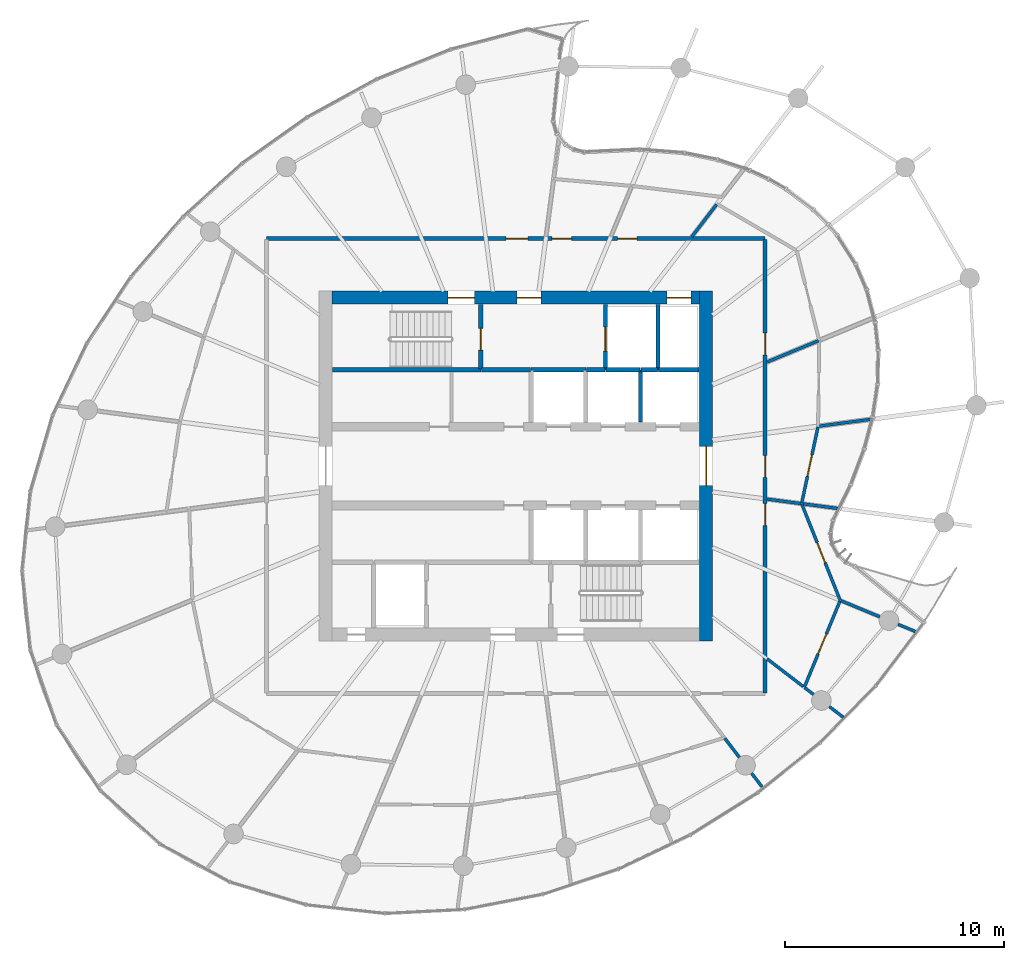
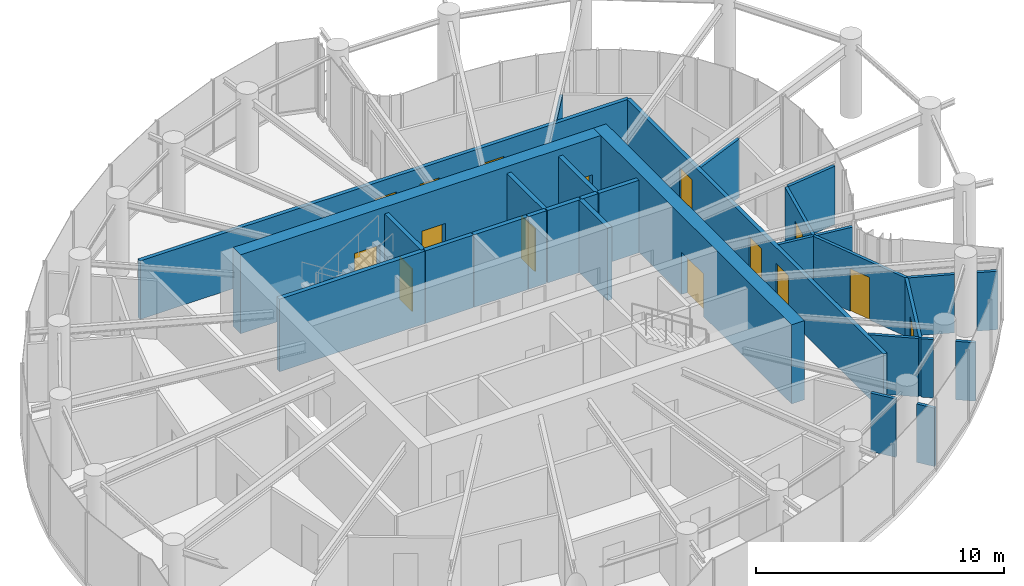
# One storey, part 14 of 17: 30 walls, 15 doors, 15 openings.
"""IFC4 building model written with IfcOpenShell, lengths in metres."""

from ifc_helpers import new_model, si_unit, direction, frame, frame_2d, origin, place, context, subcontext, project, spatial, rectangle, extrude, source, transform, mapped, material, layer, layer_set, type_object, element, fill, save


model = new_model("IFC4")

# Units and contexts
model_context = context("Model", 3, precision=1e-05, world=origin(), true_north=direction((0.0, 1.0)))
body_context = subcontext(model_context, "Body", "Model", "MODEL_VIEW")
ifc_project = project(units=[si_unit("LENGTHUNIT", "METRE"), si_unit("AREAUNIT", "SQUARE_METRE"), si_unit("VOLUMEUNIT", "CUBIC_METRE"), si_unit("PLANEANGLEUNIT", "RADIAN"), si_unit("MASSUNIT", "GRAM", prefix="KILO")], contexts=[model_context])

# Site, building, storey
site_placement = place(None, origin())
site = spatial("IfcSite", under=ifc_project, at=site_placement, CompositionType="ELEMENT")
building_placement = place(site_placement, origin())
building = spatial("IfcBuilding", under=site, at=building_placement, Name="Spindrift Exchange Tower", CompositionType="ELEMENT")
storey_placement = place(building_placement, frame((0.0, 0.0, 187.699951171875)))
storey = spatial("IfcBuildingStorey", under=building, at=storey_placement, Name="L45", CompositionType="ELEMENT", Elevation=187.699951171875)

# Wall, opening, door
ifc_material_1 = material(Name="Concrete 50 MPa", Category="concrete")
ifc_layer_1 = layer(ifc_material_1, 0.60009765625)
ifc_layer_set_1 = layer_set([ifc_layer_1], Name="RC Core Wall 600 Concrete 50 MPa")
wall_type_1 = type_object("IfcWallType", Name="RC Core Wall 600 Concrete 50 MPa", PredefinedType="SHEAR", material=ifc_layer_set_1)
wall_1_placement = place(storey_placement, frame((60.699951171875, 40.0, 0.0), z_axis=(0.0, 0.0, 1.0), x_axis=(0.0, 1.0, 0.0)))
wall_1 = element("IfcWall", 1, at=wall_1_placement, inside=storey, type_object=wall_type_1, Name="Core wall E L45", PredefinedType="SHEAR", context=body_context, shape_type="SweptSolid", body=[
    extrude(rectangle(XDim=16.0, YDim=0.60009765625, at=frame_2d((8.0, 0.0))), origin(), (0.0, 0.0, 1.0), 3.900146484375),
])
opening_1_placement = place(wall_1_placement, frame((7.10009765625, 0.0, 0.0)))
opening_1 = element("IfcOpeningElement", 2, at=opening_1_placement, cuts=wall_1, Name="Opening L45-D2", PredefinedType="OPENING", context=body_context, shape_type="SweptSolid", body=[
    extrude(rectangle(XDim=1.800048828125, YDim=2.10009765625, at=frame_2d((0.89990234375, 1.050048828125))), frame((0.0, 0.31005859375, 0.0), z_axis=(0.0, -1.0, 0.0), x_axis=(1.0, 0.0, 0.0)), (0.0, 0.0, 1.0), 0.6201171875),
])
ifc_material_2 = material(Name="Timber-core fire door", Category="wood")
door_type_1 = type_object("IfcDoorType", Name="DR-LOBBY-1800", OperationType="NOTDEFINED", PredefinedType="DOOR", material=ifc_material_2)
shared_shape_1 = source(origin(), body_context, "Body", "SweptSolid", [
    extrude(rectangle(XDim=1.800048828125, YDim=2.10009765625, at=frame_2d((0.89990234375, 1.050048828125))), frame((0.0, 0.02490234375, 0.0), z_axis=(0.0, -1.0, 0.0), x_axis=(1.0, 0.0, 0.0)), (0.0, 0.0, 1.0), 0.050048828125),
])
door_1_placement = place(opening_1_placement, origin())
door_1 = element("IfcDoor", 3, at=door_1_placement, inside=storey, type_object=door_type_1, Name="L45 Lobby door 2", OperationType="SINGLE_SWING_LEFT", OverallHeight=2.10009765625, OverallWidth=1.800048828125, PredefinedType="DOOR", context=body_context, shape_type="MappedRepresentation", body=[
    mapped(shared_shape_1, transform((0.0, 0.0, 0.0), scale=1.0)),
])
fill(opening_1, door_1)

# Wall, openings, doors
wall_2_placement = place(storey_placement, frame((60.39990234375, 55.699951171875, 0.0), z_axis=(0.0, 0.0, 1.0), x_axis=(-1.0, 0.0, 0.0)))
wall_2 = element("IfcWall", 4, at=wall_2_placement, inside=storey, type_object=wall_type_1, Name="Core wall N L45", PredefinedType="SHEAR", context=body_context, shape_type="SweptSolid", body=[
    extrude(rectangle(XDim=16.7998046875, YDim=0.60009765625, at=frame_2d((8.39990234375, 0.0))), origin(), (0.0, 0.0, 1.0), 3.900146484375),
])
opening_2_placement = place(wall_2_placement, frame((0.39990234375, 0.0, 0.0)))
opening_2 = element("IfcOpeningElement", 5, at=opening_2_placement, cuts=wall_2, Name="Opening L45-D11", PredefinedType="OPENING", context=body_context, shape_type="SweptSolid", body=[
    extrude(rectangle(XDim=1.10009765625, YDim=2.10009765625, at=frame_2d((0.550048828125, 1.050048828125))), frame((0.0, 0.31005859375, 0.0), z_axis=(0.0, -1.0, 0.0), x_axis=(1.0, 0.0, 0.0)), (0.0, 0.0, 1.0), 0.6201171875),
])
opening_3_placement = place(wall_2_placement, frame((10.300048828125, 0.0, 0.0)))
opening_3 = element("IfcOpeningElement", 6, at=opening_3_placement, cuts=wall_2, Name="Opening L45-D12", PredefinedType="OPENING", context=body_context, shape_type="SweptSolid", body=[
    extrude(rectangle(XDim=1.199951171875, YDim=2.10009765625, at=frame_2d((0.60009765625, 1.050048828125))), frame((0.0, 0.31005859375, 0.0), z_axis=(0.0, -1.0, 0.0), x_axis=(1.0, 0.0, 0.0)), (0.0, 0.0, 1.0), 0.6201171875),
])
opening_4_placement = place(wall_2_placement, frame((7.25, 0.0, 0.0)))
opening_4 = element("IfcOpeningElement", 7, at=opening_4_placement, cuts=wall_2, Name="Opening L45-D14", PredefinedType="OPENING", context=body_context, shape_type="SweptSolid", body=[
    extrude(rectangle(XDim=1.10009765625, YDim=2.10009765625, at=frame_2d((0.550048828125, 1.050048828125))), frame((0.0, 0.31005859375, 0.0), z_axis=(0.0, -1.0, 0.0), x_axis=(1.0, 0.0, 0.0)), (0.0, 0.0, 1.0), 0.6201171875),
])
ifc_material_3 = material(Name="Stainless steel landing door", Category="steel")
door_type_2 = type_object("IfcDoorType", Name="DR-LANDING-1100-SL", OperationType="DOUBLE_DOOR_SLIDING", PredefinedType="USERDEFINED", material=ifc_material_3)
shared_shape_2 = source(origin(), body_context, "Body", "SweptSolid", [
    extrude(rectangle(XDim=1.10009765625, YDim=2.10009765625, at=frame_2d((0.550048828125, 1.050048828125))), frame((0.0, 0.02490234375, 0.0), z_axis=(0.0, -1.0, 0.0), x_axis=(1.0, 0.0, 0.0)), (0.0, 0.0, 1.0), 0.050048828125),
])
door_2_placement = place(opening_2_placement, origin())
door_2 = element("IfcDoor", 8, at=door_2_placement, inside=storey, type_object=door_type_2, Name="L45 Lift landing door 11", ObjectType="LANDING DOOR", OperationType="DOUBLE_DOOR_SLIDING", OverallHeight=2.10009765625, OverallWidth=1.10009765625, PredefinedType="USERDEFINED", context=body_context, shape_type="MappedRepresentation", body=[
    mapped(shared_shape_2, transform((0.0, 0.0, 0.0), scale=1.0)),
])
fill(opening_2, door_2)
ifc_material_4 = material(Name="Steel fire door", Category="steel")
door_type_3 = type_object("IfcDoorType", Name="DR-STAIR-1200", OperationType="NOTDEFINED", PredefinedType="DOOR", material=ifc_material_4)
shared_shape_3 = source(origin(), body_context, "Body", "SweptSolid", [
    extrude(rectangle(XDim=1.199951171875, YDim=2.10009765625, at=frame_2d((0.60009765625, 1.050048828125))), frame((0.0, 0.02490234375, 0.0), z_axis=(0.0, -1.0, 0.0), x_axis=(1.0, 0.0, 0.0)), (0.0, 0.0, 1.0), 0.050048828125),
])
door_3_placement = place(opening_3_placement, origin())
door_3 = element("IfcDoor", 9, at=door_3_placement, inside=storey, type_object=door_type_3, Name="L45 Stair door 12", OperationType="SINGLE_SWING_RIGHT", OverallHeight=2.10009765625, OverallWidth=1.199951171875, PredefinedType="DOOR", context=body_context, shape_type="MappedRepresentation", body=[
    mapped(shared_shape_3, transform((0.0, 0.0, 0.0), scale=1.0)),
])
fill(opening_3, door_3)
door_type_4 = type_object("IfcDoorType", Name="DR-LOBBY-1100", OperationType="NOTDEFINED", PredefinedType="DOOR", material=ifc_material_2)
shared_shape_4 = source(origin(), body_context, "Body", "SweptSolid", [
    extrude(rectangle(XDim=1.10009765625, YDim=2.10009765625, at=frame_2d((0.550048828125, 1.050048828125))), frame((0.0, 0.02490234375, 0.0), z_axis=(0.0, -1.0, 0.0), x_axis=(1.0, 0.0, 0.0)), (0.0, 0.0, 1.0), 0.050048828125),
])
door_4_placement = place(opening_4_placement, origin())
door_4 = element("IfcDoor", 10, at=door_4_placement, inside=storey, type_object=door_type_4, Name="L45 Lobby door 14", OperationType="SINGLE_SWING_RIGHT", OverallHeight=2.10009765625, OverallWidth=1.10009765625, PredefinedType="DOOR", context=body_context, shape_type="MappedRepresentation", body=[
    mapped(shared_shape_4, transform((0.0, 0.0, 0.0), scale=1.0)),
])
fill(opening_4, door_4)

ifc_material_5 = material(Name="Fire-rated plasterboard partition", Category="gypsum")
ifc_layer_2 = layer(ifc_material_5, 0.179931640625)
ifc_layer_set_2 = layer_set([ifc_layer_2], Name="W-CORR-180")
wall_type_2 = type_object("IfcWallType", Name="W-CORR-180", PredefinedType="PARTITIONING", material=ifc_layer_set_2)
wall_3_placement = place(storey_placement, frame((40.60009765625, 58.39990234375, 0.0), z_axis=(0.0, 0.0, 1.0), x_axis=(1.0, 0.0, 0.0)))
wall_3 = element("IfcWall", 11, at=wall_3_placement, inside=storey, type_object=wall_type_2, Name="L45 Partition wall 27", PredefinedType="PARTITIONING", context=body_context, shape_type="SweptSolid", body=[
    extrude(rectangle(XDim=22.7998046875, YDim=0.179931640625, at=frame_2d((11.39990234375, 0.0))), origin(), (0.0, 0.0, 1.0), 2.880126953125),
])
opening_5_placement = place(wall_3_placement, frame((16.050048828125, 0.0, 0.0)))
opening_5 = element("IfcOpeningElement", 12, at=opening_5_placement, cuts=wall_3, Name="Opening L45-D21", PredefinedType="OPENING", context=body_context, shape_type="SweptSolid", body=[
    extrude(rectangle(XDim=0.89990234375, YDim=2.10009765625, at=frame_2d((0.449951171875, 1.050048828125))), frame((0.0, 0.099853515625, 0.0), z_axis=(0.0, -1.0, 0.0), x_axis=(1.0, 0.0, 0.0)), (0.0, 0.0, 1.0), 0.199951171875),
])
opening_6_placement = place(wall_3_placement, frame((13.050048828125, 0.0, 0.0)))
opening_6 = element("IfcOpeningElement", 13, at=opening_6_placement, cuts=wall_3, Name="Opening L45-D22", PredefinedType="OPENING", context=body_context, shape_type="SweptSolid", body=[
    extrude(rectangle(XDim=0.89990234375, YDim=2.10009765625, at=frame_2d((0.449951171875, 1.050048828125))), frame((0.0, 0.099853515625, 0.0), z_axis=(0.0, -1.0, 0.0), x_axis=(1.0, 0.0, 0.0)), (0.0, 0.0, 1.0), 0.199951171875),
])
opening_7_placement = place(wall_3_placement, frame((10.949951171875, 0.0, 0.0)))
opening_7 = element("IfcOpeningElement", 14, at=opening_7_placement, cuts=wall_3, Name="Opening L45-D23", PredefinedType="OPENING", context=body_context, shape_type="SweptSolid", body=[
    extrude(rectangle(XDim=1.0, YDim=2.10009765625, at=frame_2d((0.5, 1.050048828125))), frame((0.0, 0.099853515625, 0.0), z_axis=(0.0, -1.0, 0.0), x_axis=(1.0, 0.0, 0.0)), (0.0, 0.0, 1.0), 0.199951171875),
])
door_type_5 = type_object("IfcDoorType", Name="DR-ROOM-1000", OperationType="NOTDEFINED", PredefinedType="DOOR", material=ifc_material_2)
shared_shape_5 = source(origin(), body_context, "Body", "SweptSolid", [
    extrude(rectangle(XDim=1.0, YDim=2.10009765625, at=frame_2d((0.5, 1.050048828125))), frame((0.0, 0.02490234375, 0.0), z_axis=(0.0, -1.0, 0.0), x_axis=(1.0, 0.0, 0.0)), (0.0, 0.0, 1.0), 0.050048828125),
])
door_5_placement = place(opening_7_placement, origin())
door_5 = element("IfcDoor", 15, at=door_5_placement, inside=storey, type_object=door_type_5, Name="L45 Door 23", OperationType="SINGLE_SWING_LEFT", OverallHeight=2.10009765625, OverallWidth=1.0, PredefinedType="DOOR", context=body_context, shape_type="MappedRepresentation", body=[
    mapped(shared_shape_5, transform((0.0, 0.0, 0.0), scale=1.0)),
])
fill(opening_7, door_5)
ifc_material_6 = material(Name="Laminate washroom door", Category="wood")
door_type_6 = type_object("IfcDoorType", Name="DR-WC-900", OperationType="NOTDEFINED", PredefinedType="DOOR", material=ifc_material_6)
shared_shape_6 = source(origin(), body_context, "Body", "SweptSolid", [
    extrude(rectangle(XDim=0.89990234375, YDim=2.10009765625, at=frame_2d((0.449951171875, 1.050048828125))), frame((0.0, 0.02490234375, 0.0), z_axis=(0.0, -1.0, 0.0), x_axis=(1.0, 0.0, 0.0)), (0.0, 0.0, 1.0), 0.050048828125),
])
door_6_placement = place(opening_5_placement, origin())
door_6 = element("IfcDoor", 16, at=door_6_placement, inside=storey, type_object=door_type_6, Name="L45 WC door 21", OperationType="SINGLE_SWING_LEFT", OverallHeight=2.10009765625, OverallWidth=0.89990234375, PredefinedType="DOOR", context=body_context, shape_type="MappedRepresentation", body=[
    mapped(shared_shape_6, transform((0.0, 0.0, 0.0), scale=1.0)),
])
fill(opening_5, door_6)
door_7_placement = place(opening_6_placement, origin())
door_7 = element("IfcDoor", 17, at=door_7_placement, inside=storey, type_object=door_type_6, Name="L45 WC door 22", OperationType="SINGLE_SWING_RIGHT", OverallHeight=2.10009765625, OverallWidth=0.89990234375, PredefinedType="DOOR", context=body_context, shape_type="MappedRepresentation", body=[
    mapped(shared_shape_6, transform((0.0, 0.0, 0.0), scale=1.0)),
])
fill(opening_6, door_7)

wall_4_placement = place(storey_placement, frame((63.39990234375, 58.3701171875, 0.0), z_axis=(0.0, 0.0, 1.0), x_axis=(0.0, -1.0, 0.0)))
wall_4 = element("IfcWall", 18, at=wall_4_placement, inside=storey, type_object=wall_type_2, Name="L45 Partition wall 29", PredefinedType="PARTITIONING", context=body_context, shape_type="SweptSolid", body=[
    extrude(rectangle(XDim=20.740234375, YDim=0.179931640625, at=frame_2d((10.3701171875, 0.0))), origin(), (0.0, 0.0, 1.0), 2.880126953125),
])
opening_8_placement = place(wall_4_placement, frame((4.2900390625, 0.0, 0.0)))
opening_8 = element("IfcOpeningElement", 19, at=opening_8_placement, cuts=wall_4, Name="Opening L45-D19", PredefinedType="OPENING", context=body_context, shape_type="SweptSolid", body=[
    extrude(rectangle(XDim=1.0, YDim=2.10009765625, at=frame_2d((0.5, 1.050048828125))), frame((0.0, 0.099853515625, 0.0), z_axis=(0.0, -1.0, 0.0), x_axis=(1.0, 0.0, 0.0)), (0.0, 0.0, 1.0), 0.199951171875),
])
opening_9_placement = place(wall_4_placement, frame((12.090087890625, 0.0, 0.0)))
opening_9 = element("IfcOpeningElement", 20, at=opening_9_placement, cuts=wall_4, Name="Opening L45-D41", PredefinedType="OPENING", context=body_context, shape_type="SweptSolid", body=[
    extrude(rectangle(XDim=1.0, YDim=2.10009765625, at=frame_2d((0.5, 1.050048828125))), frame((0.0, 0.099853515625, 0.0), z_axis=(0.0, -1.0, 0.0), x_axis=(1.0, 0.0, 0.0)), (0.0, 0.0, 1.0), 0.199951171875),
])
opening_10_placement = place(wall_4_placement, frame((9.889892578125, 0.0, 0.0)))
opening_10 = element("IfcOpeningElement", 21, at=opening_10_placement, cuts=wall_4, Name="Opening L45-D44", PredefinedType="OPENING", context=body_context, shape_type="SweptSolid", body=[
    extrude(rectangle(XDim=1.0, YDim=2.10009765625, at=frame_2d((0.5, 1.050048828125))), frame((0.0, 0.099853515625, 0.0), z_axis=(0.0, -1.0, 0.0), x_axis=(1.0, 0.0, 0.0)), (0.0, 0.0, 1.0), 0.199951171875),
])
door_8_placement = place(opening_8_placement, origin())
door_8 = element("IfcDoor", 22, at=door_8_placement, inside=storey, type_object=door_type_5, Name="L45 Door 19", OperationType="SINGLE_SWING_LEFT", OverallHeight=2.10009765625, OverallWidth=1.0, PredefinedType="DOOR", context=body_context, shape_type="MappedRepresentation", body=[
    mapped(shared_shape_5, transform((0.0, 0.0, 0.0), scale=1.0)),
])
fill(opening_8, door_8)
door_9_placement = place(opening_9_placement, origin())
door_9 = element("IfcDoor", 23, at=door_9_placement, inside=storey, type_object=door_type_5, Name="L45 Door 41", OperationType="SINGLE_SWING_LEFT", OverallHeight=2.10009765625, OverallWidth=1.0, PredefinedType="DOOR", context=body_context, shape_type="MappedRepresentation", body=[
    mapped(shared_shape_5, transform((0.0, 0.0, 0.0), scale=1.0)),
])
fill(opening_9, door_9)
door_10_placement = place(opening_10_placement, origin())
door_10 = element("IfcDoor", 24, at=door_10_placement, inside=storey, type_object=door_type_5, Name="L45 Door 44", OperationType="SINGLE_SWING_RIGHT", OverallHeight=2.10009765625, OverallWidth=1.0, PredefinedType="DOOR", context=body_context, shape_type="MappedRepresentation", body=[
    mapped(shared_shape_5, transform((0.0, 0.0, 0.0), scale=1.0)),
])
fill(opening_10, door_10)

# Wall, opening, door
ifc_layer_3 = layer(ifc_material_5, 0.139892578125)
ifc_layer_set_3 = layer_set([ifc_layer_3], Name="W-PART-140")
wall_type_3 = type_object("IfcWallType", Name="W-PART-140", PredefinedType="PARTITIONING", material=ifc_layer_set_3)
wall_5_placement = place(storey_placement, frame((65.065673828125, 46.27978515625, 0.0), z_axis=(0.0, 0.0, 1.0), x_axis=(0.370851521152, -0.928692171421, 0.0)))
wall_5 = element("IfcWall", 25, at=wall_5_placement, inside=storey, type_object=wall_type_3, Name="L45 Partition wall 32", PredefinedType="PARTITIONING", context=body_context, shape_type="SweptSolid", body=[
    extrude(rectangle(XDim=4.762939453125, YDim=0.139892578125, at=frame_2d((2.38134765625, 0.0))), origin(), (0.0, 0.0, 1.0), 2.880126953125),
])
opening_11_placement = place(wall_5_placement, frame((1.9130859375, 0.0, 0.0)))
opening_11 = element("IfcOpeningElement", 26, at=opening_11_placement, cuts=wall_5, Name="Opening L45-D43", PredefinedType="OPENING", context=body_context, shape_type="SweptSolid", body=[
    extrude(rectangle(XDim=1.0, YDim=2.10009765625, at=frame_2d((0.5, 1.050048828125))), frame((0.0, 0.079833984375, 0.0), z_axis=(0.0, -1.0, 0.0), x_axis=(1.0, 0.0, 0.0)), (0.0, 0.0, 1.0), 0.159912109375),
])
door_11_placement = place(opening_11_placement, origin())
door_11 = element("IfcDoor", 27, at=door_11_placement, inside=storey, type_object=door_type_5, Name="L45 Door 43", OperationType="SINGLE_SWING_LEFT", OverallHeight=2.10009765625, OverallWidth=1.0, PredefinedType="DOOR", context=body_context, shape_type="MappedRepresentation", body=[
    mapped(shared_shape_5, transform((0.0, 0.0, 0.0), scale=1.0)),
])
fill(opening_11, door_11)

wall_6_placement = place(storey_placement, frame((66.820556640625, 41.82861328125, 0.0), z_axis=(0.0, 0.0, 1.0), x_axis=(-0.38185883611, -0.924220660494, 0.0)))
wall_6 = element("IfcWall", 28, at=wall_6_placement, inside=storey, type_object=wall_type_3, Name="L45 Partition wall 40", PredefinedType="PARTITIONING", context=body_context, shape_type="SweptSolid", body=[
    extrude(rectangle(XDim=4.272705078125, YDim=0.139892578125, at=frame_2d((2.13623046875, 0.0))), origin(), (0.0, 0.0, 1.0), 2.880126953125),
])
opening_12_placement = place(wall_6_placement, frame((1.622802734375, 0.0, 0.0)))
opening_12 = element("IfcOpeningElement", 29, at=opening_12_placement, cuts=wall_6, Name="Opening L45-D42", PredefinedType="OPENING", context=body_context, shape_type="SweptSolid", body=[
    extrude(rectangle(XDim=1.0, YDim=2.10009765625, at=frame_2d((0.5, 1.050048828125))), frame((0.0, 0.079833984375, 0.0), z_axis=(0.0, -1.0, 0.0), x_axis=(1.0, 0.0, 0.0)), (0.0, 0.0, 1.0), 0.159912109375),
])
door_12_placement = place(opening_12_placement, origin())
door_12 = element("IfcDoor", 30, at=door_12_placement, inside=storey, type_object=door_type_5, Name="L45 Door 42", OperationType="SINGLE_SWING_RIGHT", OverallHeight=2.10009765625, OverallWidth=1.0, PredefinedType="DOOR", context=body_context, shape_type="MappedRepresentation", body=[
    mapped(shared_shape_5, transform((0.0, 0.0, 0.0), scale=1.0)),
])
fill(opening_12, door_12)

wall_7_placement = place(storey_placement, frame((65.81396484375, 49.7900390625, 0.0), z_axis=(0.0, 0.0, 1.0), x_axis=(-0.208460885898, -0.978030704554, 0.0)))
wall_7 = element("IfcWall", 31, at=wall_7_placement, inside=storey, type_object=wall_type_3, Name="L45 Partition wall 54", PredefinedType="PARTITIONING", context=body_context, shape_type="SweptSolid", body=[
    extrude(rectangle(XDim=3.55908203125, YDim=0.139892578125, at=frame_2d((1.779541015625, 0.0))), origin(), (0.0, 0.0, 1.0), 2.880126953125),
])
opening_13_placement = place(wall_7_placement, frame((1.30908203125, 0.0, 0.0)))
opening_13 = element("IfcOpeningElement", 32, at=opening_13_placement, cuts=wall_7, Name="Opening L45-D45", PredefinedType="OPENING", context=body_context, shape_type="SweptSolid", body=[
    extrude(rectangle(XDim=1.0, YDim=2.10009765625, at=frame_2d((0.5, 1.050048828125))), frame((0.0, 0.079833984375, 0.0), z_axis=(0.0, -1.0, 0.0), x_axis=(1.0, 0.0, 0.0)), (0.0, 0.0, 1.0), 0.159912109375),
])
door_13_placement = place(opening_13_placement, origin())
door_13 = element("IfcDoor", 33, at=door_13_placement, inside=storey, type_object=door_type_5, Name="L45 Door 45", OperationType="SINGLE_SWING_LEFT", OverallHeight=2.10009765625, OverallWidth=1.0, PredefinedType="DOOR", context=body_context, shape_type="MappedRepresentation", body=[
    mapped(shared_shape_5, transform((0.0, 0.0, 0.0), scale=1.0)),
])
fill(opening_13, door_13)

# Walls
wall_8_placement = place(storey_placement, frame((63.489990234375, 52.75927734375, 0.0), z_axis=(0.0, 0.0, 1.0), x_axis=(0.923889395606, 0.382659619881, 0.0)))
element("IfcWall", 34, at=wall_8_placement, inside=storey, type_object=wall_type_3, Name="L45 Partition wall 60", PredefinedType="PARTITIONING", context=body_context, shape_type="SweptSolid", body=[
    extrude(rectangle(XDim=2.544921875, YDim=0.139892578125, at=frame_2d((1.2724609375, 0.0))), origin(), (0.0, 0.0, 1.0), 2.880126953125),
])
wall_9_placement = place(storey_placement, frame((65.890380859375, 49.82861328125, 0.0), z_axis=(0.0, 0.0, 1.0), x_axis=(0.991435354672, 0.130598382477, 0.0)))
element("IfcWall", 35, at=wall_9_placement, inside=storey, type_object=wall_type_3, Name="L45 Partition wall 64", PredefinedType="PARTITIONING", context=body_context, shape_type="SweptSolid", body=[
    extrude(rectangle(XDim=2.370361328125, YDim=0.139892578125, at=frame_2d((1.18505859375, 0.0))), origin(), (0.0, 0.0, 1.0), 2.880126953125),
])
wall_10_placement = place(storey_placement, frame((63.489990234375, 39.183349609375, 0.0), z_axis=(0.0, 0.0, 1.0), x_axis=(0.793382212358, -0.608723800351, 0.0)))
element("IfcWall", 36, at=wall_10_placement, inside=storey, type_object=wall_type_3, Name="L45 Partition wall 67", PredefinedType="PARTITIONING", context=body_context, shape_type="SweptSolid", body=[
    extrude(rectangle(XDim=2.069091796875, YDim=0.139892578125, at=frame_2d((1.03466796875, 0.0))), origin(), (0.0, 0.0, 1.0), 2.880126953125),
])
wall_11_placement = place(storey_placement, frame((60.04931640625, 58.489990234375, 0.0), z_axis=(0.0, 0.0, 1.0), x_axis=(0.60873011284, 0.79337736905, 0.0)))
element("IfcWall", 37, at=wall_11_placement, inside=storey, type_object=wall_type_3, Name="L45 Partition wall 71", PredefinedType="PARTITIONING", context=body_context, shape_type="SweptSolid", body=[
    extrude(rectangle(XDim=1.853759765625, YDim=0.139892578125, at=frame_2d((0.9267578125, 0.0))), origin(), (0.0, 0.0, 1.0), 2.880126953125),
])
wall_12_placement = place(storey_placement, frame((66.859619140625, 41.844970703125, 0.0), z_axis=(0.0, 0.0, 1.0), x_axis=(0.923870050537, -0.382706323075, 0.0)))
element("IfcWall", 38, at=wall_12_placement, inside=storey, type_object=wall_type_3, Name="L45 Partition wall 72", PredefinedType="PARTITIONING", context=body_context, shape_type="SweptSolid", body=[
    extrude(rectangle(XDim=1.926025390625, YDim=0.139892578125, at=frame_2d((0.962890625, 0.0))), origin(), (0.0, 0.0, 1.0), 2.880126953125),
])
wall_13_placement = place(storey_placement, frame((65.145263671875, 46.269287109375, 0.0), z_axis=(0.0, 0.0, 1.0), x_axis=(0.991451698316, -0.130474249971, 0.0)))
element("IfcWall", 39, at=wall_13_placement, inside=storey, type_object=wall_type_3, Name="L45 Partition wall 75", PredefinedType="PARTITIONING", context=body_context, shape_type="SweptSolid", body=[
    extrude(rectangle(XDim=1.599853515625, YDim=0.139892578125, at=frame_2d((0.7998046875, 0.0))), origin(), (0.0, 0.0, 1.0), 2.880126953125),
])
wall_14_placement = place(storey_placement, frame((63.489990234375, 46.4873046875, 0.0), z_axis=(0.0, 0.0, 1.0), x_axis=(0.991437233218, -0.130584120737, 0.0)))
element("IfcWall", 40, at=wall_14_placement, inside=storey, type_object=wall_type_3, Name="L45 Partition wall 76", PredefinedType="PARTITIONING", context=body_context, shape_type="SweptSolid", body=[
    extrude(rectangle(XDim=1.559326171875, YDim=0.139892578125, at=frame_2d((0.77978515625, 0.0))), origin(), (0.0, 0.0, 1.0), 2.880126953125),
])
wall_15_placement = place(storey_placement, frame((61.5517578125, 35.552001953125, 0.0), z_axis=(0.0, 0.0, 1.0), x_axis=(0.608682619124, -0.793413807024, 0.0)))
element("IfcWall", 41, at=wall_15_placement, inside=storey, type_object=wall_type_3, Name="L45 Partition wall 82", PredefinedType="PARTITIONING", context=body_context, shape_type="SweptSolid", body=[
    extrude(rectangle(XDim=1.102294921875, YDim=0.139892578125, at=frame_2d((0.55126953125, 0.0))), origin(), (0.0, 0.0, 1.0), 2.880126953125),
])
wall_16_placement = place(storey_placement, frame((69.479736328125, 40.759521484375, 0.0), z_axis=(0.0, 0.0, 1.0), x_axis=(0.923967777062, -0.38247032166, 0.0)))
element("IfcWall", 42, at=wall_16_placement, inside=storey, type_object=wall_type_3, Name="L45 Partition wall 89", PredefinedType="PARTITIONING", context=body_context, shape_type="SweptSolid", body=[
    extrude(rectangle(XDim=0.848876953125, YDim=0.139892578125, at=frame_2d((0.42431640625, 0.0))), origin(), (0.0, 0.0, 1.0), 2.880126953125),
])
wall_17_placement = place(storey_placement, frame((66.33154296875, 37.0029296875, 0.0), z_axis=(0.0, 0.0, 1.0), x_axis=(0.793336246331, -0.608783705644, 0.0)))
element("IfcWall", 43, at=wall_17_placement, inside=storey, type_object=wall_type_3, Name="L45 Partition wall 93", PredefinedType="PARTITIONING", context=body_context, shape_type="SweptSolid", body=[
    extrude(rectangle(XDim=0.81494140625, YDim=0.139892578125, at=frame_2d((0.407470703125, 0.0))), origin(), (0.0, 0.0, 1.0), 2.880126953125),
])
wall_18_placement = place(storey_placement, frame((62.77587890625, 33.956298828125, 0.0), z_axis=(0.0, 0.0, 1.0), x_axis=(0.608918355889, -0.793232901399, 0.0)))
element("IfcWall", 44, at=wall_18_placement, inside=storey, type_object=wall_type_3, Name="L45 Partition wall 94", PredefinedType="PARTITIONING", context=body_context, shape_type="SweptSolid", body=[
    extrude(rectangle(XDim=0.78955078125, YDim=0.139892578125, at=frame_2d((0.394775390625, 0.0))), origin(), (0.0, 0.0, 1.0), 2.880126953125),
])
wall_19_placement = place(storey_placement, frame((65.212890625, 37.861328125, 0.0), z_axis=(0.0, 0.0, 1.0), x_axis=(0.793402374063, -0.608697521624, 0.0)))
element("IfcWall", 45, at=wall_19_placement, inside=storey, type_object=wall_type_3, Name="L45 Partition wall 95", PredefinedType="PARTITIONING", context=body_context, shape_type="SweptSolid", body=[
    extrude(rectangle(XDim=0.5009765625, YDim=0.139892578125, at=frame_2d((0.25048828125, 0.0))), origin(), (0.0, 0.0, 1.0), 2.880126953125),
])

# Wall, opening, door
ifc_material_7 = material(Name="Concrete 40 MPa", Category="concrete")
ifc_layer_4 = layer(ifc_material_7, 0.199951171875)
ifc_layer_set_4 = layer_set([ifc_layer_4], Name="W-SHAFT-200")
wall_type_4 = type_object("IfcWallType", Name="W-SHAFT-200", PredefinedType="SOLIDWALL", material=ifc_layer_set_4)
wall_20_placement = place(storey_placement, frame((56.10009765625, 55.3798828125, 0.0), z_axis=(0.0, 0.0, 1.0), x_axis=(0.0, -1.0, 0.0)))
wall_20 = element("IfcWall", 46, at=wall_20_placement, inside=storey, type_object=wall_type_4, Name="L45 Shaft wall 7", PredefinedType="SOLIDWALL", context=body_context, shape_type="SweptSolid", body=[
    extrude(rectangle(XDim=2.97998046875, YDim=0.199951171875, at=frame_2d((1.489990234375, 0.0))), origin(), (0.0, 0.0, 1.0), 3.580078125),
])
opening_14_placement = place(wall_20_placement, frame((1.030029296875, 0.0, 0.0)))
opening_14 = element("IfcOpeningElement", 47, at=opening_14_placement, cuts=wall_20, Name="Opening L45-D9", PredefinedType="OPENING", context=body_context, shape_type="SweptSolid", body=[
    extrude(rectangle(XDim=1.10009765625, YDim=2.10009765625, at=frame_2d((0.550048828125, 1.050048828125))), frame((0.0, 0.10986328125, 0.0), z_axis=(0.0, -1.0, 0.0), x_axis=(1.0, 0.0, 0.0)), (0.0, 0.0, 1.0), 0.219970703125),
])
door_14_placement = place(opening_14_placement, origin())
door_14 = element("IfcDoor", 48, at=door_14_placement, inside=storey, type_object=door_type_2, Name="L45 Lift landing door 9", ObjectType="LANDING DOOR", OperationType="DOUBLE_DOOR_SLIDING", OverallHeight=2.10009765625, OverallWidth=1.10009765625, PredefinedType="USERDEFINED", context=body_context, shape_type="MappedRepresentation", body=[
    mapped(shared_shape_2, transform((0.0, 0.0, 0.0), scale=1.0)),
])
fill(opening_14, door_14)

# Walls
wall_21_placement = place(storey_placement, frame((58.5, 52.39990234375, 0.0), z_axis=(0.0, 0.0, 1.0), x_axis=(0.0, 1.0, 0.0)))
element("IfcWall", 49, at=wall_21_placement, inside=storey, type_object=wall_type_4, Name="L45 Shaft wall 8", PredefinedType="SOLIDWALL", context=body_context, shape_type="SweptSolid", body=[
    extrude(rectangle(XDim=2.97998046875, YDim=0.199951171875, at=frame_2d((1.489990234375, 0.0))), origin(), (0.0, 0.0, 1.0), 3.580078125),
])
wall_22_placement = place(storey_placement, frame((55.199951171875, 52.39990234375, 0.0), z_axis=(0.0, 0.0, 1.0), x_axis=(-1.0, 0.0, 0.0)))
element("IfcWall", 50, at=wall_22_placement, inside=storey, type_object=wall_type_4, Name="L45 Shaft wall 10", PredefinedType="SOLIDWALL", context=body_context, shape_type="SweptSolid", body=[
    extrude(rectangle(XDim=2.5, YDim=0.199951171875, at=frame_2d((1.25, 0.0))), origin(), (0.0, 0.0, 1.0), 3.580078125),
])
wall_23_placement = place(storey_placement, frame((57.699951171875, 50.010009765625, 0.0), z_axis=(0.0, 0.0, 1.0), x_axis=(0.0, 1.0, 0.0)))
element("IfcWall", 51, at=wall_23_placement, inside=storey, type_object=wall_type_4, Name="L45 Shaft wall 18", PredefinedType="SOLIDWALL", context=body_context, shape_type="SweptSolid", body=[
    extrude(rectangle(XDim=2.389892578125, YDim=0.199951171875, at=frame_2d((1.19482421875, 0.0))), origin(), (0.0, 0.0, 1.0), 3.580078125),
])
wall_24_placement = place(storey_placement, frame((60.3798828125, 52.39990234375, 0.0), z_axis=(0.0, 0.0, 1.0), x_axis=(-1.0, 0.0, 0.0)))
element("IfcWall", 52, at=wall_24_placement, inside=storey, type_object=wall_type_4, Name="L45 Shaft wall 21", PredefinedType="SOLIDWALL", context=body_context, shape_type="SweptSolid", body=[
    extrude(rectangle(XDim=1.849853515625, YDim=0.199951171875, at=frame_2d((0.9248046875, 0.0))), origin(), (0.0, 0.0, 1.0), 3.580078125),
])
wall_25_placement = place(storey_placement, frame((57.669921875, 52.39990234375, 0.0), z_axis=(0.0, 0.0, 1.0), x_axis=(-1.0, 0.0, 0.0)))
element("IfcWall", 53, at=wall_25_placement, inside=storey, type_object=wall_type_4, Name="L45 Shaft wall 23", PredefinedType="SOLIDWALL", context=body_context, shape_type="SweptSolid", body=[
    extrude(rectangle(XDim=1.5400390625, YDim=0.199951171875, at=frame_2d((0.77001953125, 0.0))), origin(), (0.0, 0.0, 1.0), 3.580078125),
])
wall_26_placement = place(storey_placement, frame((56.070068359375, 52.39990234375, 0.0), z_axis=(0.0, 0.0, 1.0), x_axis=(-1.0, 0.0, 0.0)))
element("IfcWall", 54, at=wall_26_placement, inside=storey, type_object=wall_type_4, Name="L45 Shaft wall 25", PredefinedType="SOLIDWALL", context=body_context, shape_type="SweptSolid", body=[
    extrude(rectangle(XDim=0.840087890625, YDim=0.199951171875, at=frame_2d((0.419921875, 0.0))), origin(), (0.0, 0.0, 1.0), 3.580078125),
])
wall_27_placement = place(storey_placement, frame((58.469970703125, 52.39990234375, 0.0), z_axis=(0.0, 0.0, 1.0), x_axis=(-1.0, 0.0, 0.0)))
element("IfcWall", 55, at=wall_27_placement, inside=storey, type_object=wall_type_4, Name="L45 Shaft wall 26", PredefinedType="SOLIDWALL", context=body_context, shape_type="SweptSolid", body=[
    extrude(rectangle(XDim=0.739990234375, YDim=0.199951171875, at=frame_2d((0.3701171875, 0.0))), origin(), (0.0, 0.0, 1.0), 3.580078125),
])
ifc_layer_5 = layer(ifc_material_7, 0.199951171875)
ifc_layer_set_5 = layer_set([ifc_layer_5], Name="W-SHAFT-200-LB")
wall_type_5 = type_object("IfcWallType", Name="W-SHAFT-200-LB", PredefinedType="SOLIDWALL", material=ifc_layer_set_5)
wall_28_placement = place(storey_placement, frame((43.6201171875, 52.39990234375, 0.0), z_axis=(0.0, 0.0, 1.0), x_axis=(1.0, 0.0, 0.0)))
element("IfcWall", 56, at=wall_28_placement, inside=storey, type_object=wall_type_5, Name="L45 Shaft wall 1", PredefinedType="SOLIDWALL", context=body_context, shape_type="SweptSolid", body=[
    extrude(rectangle(XDim=6.77978515625, YDim=0.199951171875, at=frame_2d((3.389892578125, 0.0))), origin(), (0.0, 0.0, 1.0), 3.580078125),
])

# Wall, opening, door
wall_29_placement = place(storey_placement, frame((50.39990234375, 52.429931640625, 0.0), z_axis=(0.0, 0.0, 1.0), x_axis=(0.0, 1.0, 0.0)))
wall_29 = element("IfcWall", 57, at=wall_29_placement, inside=storey, type_object=wall_type_5, Name="L45 Shaft wall 5", PredefinedType="SOLIDWALL", context=body_context, shape_type="SweptSolid", body=[
    extrude(rectangle(XDim=2.949951171875, YDim=0.199951171875, at=frame_2d((1.47509765625, 0.0))), origin(), (0.0, 0.0, 1.0), 3.580078125),
])
opening_15_placement = place(wall_29_placement, frame((0.8701171875, 0.0, 0.0)))
opening_15 = element("IfcOpeningElement", 58, at=opening_15_placement, cuts=wall_29, Name="Opening L45-D13", PredefinedType="OPENING", context=body_context, shape_type="SweptSolid", body=[
    extrude(rectangle(XDim=1.0, YDim=2.10009765625, at=frame_2d((0.5, 1.050048828125))), frame((0.0, 0.10986328125, 0.0), z_axis=(0.0, -1.0, 0.0), x_axis=(1.0, 0.0, 0.0)), (0.0, 0.0, 1.0), 0.219970703125),
])
door_type_7 = type_object("IfcDoorType", Name="DR-STAIR-1000", OperationType="NOTDEFINED", PredefinedType="DOOR", material=ifc_material_4)
shared_shape_7 = source(origin(), body_context, "Body", "SweptSolid", [
    extrude(rectangle(XDim=1.0, YDim=2.10009765625, at=frame_2d((0.5, 1.050048828125))), frame((0.0, 0.02490234375, 0.0), z_axis=(0.0, -1.0, 0.0), x_axis=(1.0, 0.0, 0.0)), (0.0, 0.0, 1.0), 0.050048828125),
])
door_15_placement = place(opening_15_placement, origin())
door_15 = element("IfcDoor", 59, at=door_15_placement, inside=storey, type_object=door_type_7, Name="L45 Stair door 13", OperationType="SINGLE_SWING_LEFT", OverallHeight=2.10009765625, OverallWidth=1.0, PredefinedType="DOOR", context=body_context, shape_type="MappedRepresentation", body=[
    mapped(shared_shape_7, transform((0.0, 0.0, 0.0), scale=1.0)),
])
fill(opening_15, door_15)

# Wall
wall_30_placement = place(storey_placement, frame((50.429931640625, 52.39990234375, 0.0), z_axis=(0.0, 0.0, 1.0), x_axis=(1.0, 0.0, 0.0)))
element("IfcWall", 60, at=wall_30_placement, inside=storey, type_object=wall_type_5, Name="L45 Shaft wall 19", PredefinedType="SOLIDWALL", context=body_context, shape_type="SweptSolid", body=[
    extrude(rectangle(XDim=2.239990234375, YDim=0.199951171875, at=frame_2d((1.1201171875, 0.0))), origin(), (0.0, 0.0, 1.0), 3.580078125),
])

save(model, "model.ifc")
